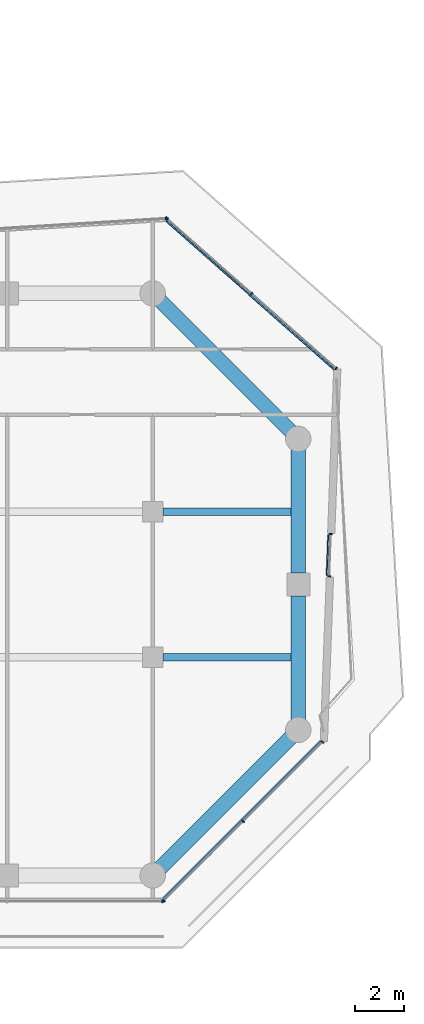
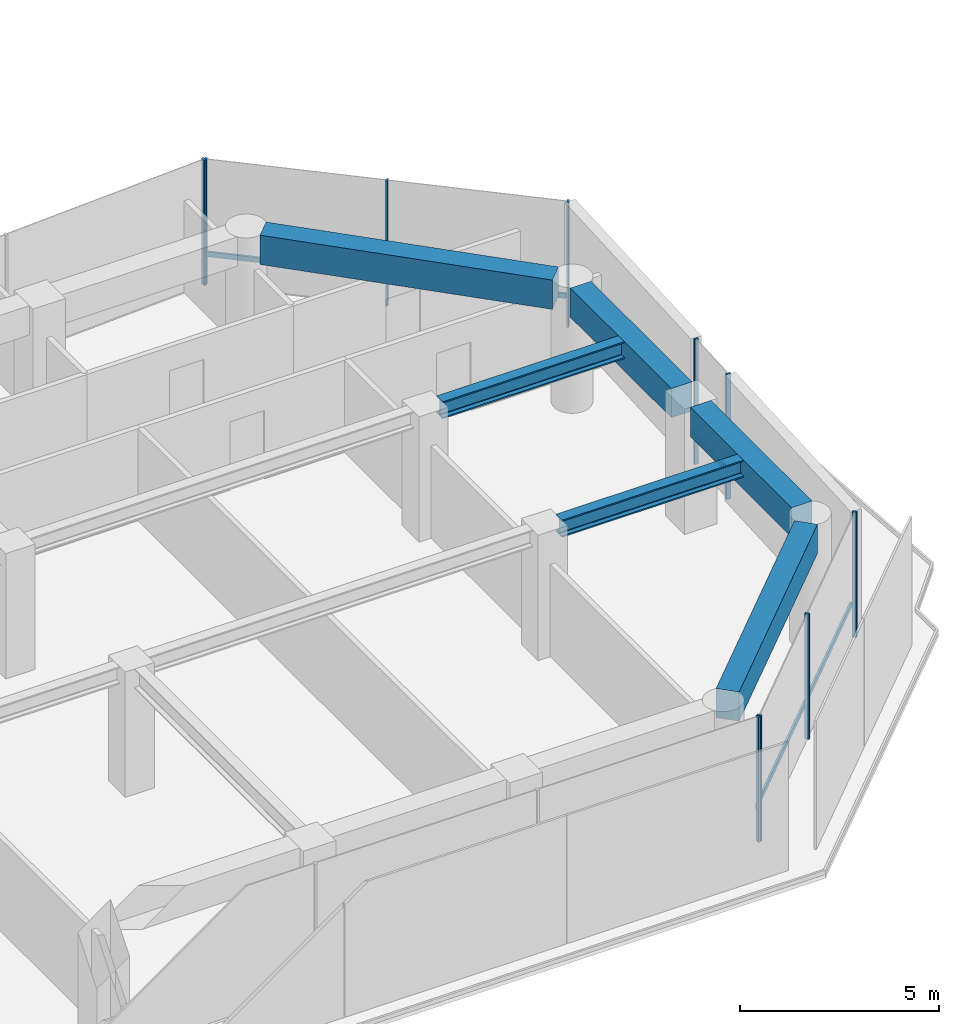
# One storey, part 20 of 29: 13 members, 6 beams, 5 elements without a shape of their own.
"""IFC4 building model written with IfcOpenShell, lengths in metres."""

from ifc_helpers import new_model, si_unit, direction, frame, origin, origin_2d, place, context, subcontext, project, spatial, rectangle, i_section, extrude, material, layer, layer_set, material_profile, profile_set, type_object, element, aggregate, save


model = new_model("IFC4")

# Units and contexts
model_context = context("Model", 3, precision=1e-05, world=origin(), true_north=direction((0.0, 1.0)))
body_context = subcontext(model_context, "Body", "Model", "MODEL_VIEW")
ifc_project = project(units=[si_unit("LENGTHUNIT", "METRE"), si_unit("AREAUNIT", "SQUARE_METRE"), si_unit("VOLUMEUNIT", "CUBIC_METRE"), si_unit("PLANEANGLEUNIT", "RADIAN"), si_unit("MASSUNIT", "GRAM", prefix="KILO")], contexts=[model_context])

# Site, building, storey
site_placement = place(None, origin())
site = spatial("IfcSite", under=ifc_project, at=site_placement, CompositionType="ELEMENT")
building_placement = place(site_placement, origin())
building = spatial("IfcBuilding", under=site, at=building_placement, Name="Welwitschia Terrace Campus", CompositionType="ELEMENT")
storey_placement = place(building_placement, frame((0.0, 0.0, 66.800048828125)))
storey = spatial("IfcBuildingStorey", under=building, at=storey_placement, Name="L15", CompositionType="ELEMENT", Elevation=66.800048828125)

# Beams
ifc_material_1 = material(Name="Steel S355", Category="steel")
ifc_material_profile_1 = material_profile(ifc_material_1, i_section(OverallWidth=0.305908203125, OverallDepth=0.52392578125, WebThickness=0.02099609375, FlangeThickness=0.0400390625, FilletRadius=0.027099609375, at=origin_2d()))
ifc_profile_set_1 = profile_set([ifc_material_profile_1], Name="Steel S355")
beam_type_1 = type_object("IfcBeamType", Name="Interior girder HE 500 M", PredefinedType="BEAM", material=ifc_profile_set_1)
for number, where, z_axis, x_axis, name in (
    (1, (60.425537109375, 5.0, 3.587890625), (1.0, 0.0, 0.0), (0.0, 1.0, 0.0), "Girder GB2"),
    (2, (60.425537109375, 11.0, 3.587890625), (1.0, 0.0, 0.0), (0.0, 1.0, 0.0), "Girder GB2"),
):
    element("IfcBeam", number, at=place(storey_placement, frame(where, z_axis=z_axis, x_axis=x_axis)), inside=storey, type_object=beam_type_1, Name=name, PredefinedType="BEAM", context=body_context, shape_type="SweptSolid", body=[
        extrude(i_section(OverallWidth=0.305908203125, OverallDepth=0.52392578125, WebThickness=0.02099609375, FlangeThickness=0.0400390625, FilletRadius=0.027099609375, at=origin_2d()), origin(), (0.0, 0.0, 1.0), 5.58447265625),
    ])

# Curtain wall, member
ifc_material_2 = material(Name="Bronze anodised aluminium", Category="aluminium")
ifc_layer = layer(ifc_material_2, 0.1201171875)
ifc_layer_set = layer_set([ifc_layer], Name="Bronze anodised aluminium")
curtain_wall_type = type_object("IfcCurtainWallType", Name="Curtain wall CW2 tower 6000", PredefinedType="NOTDEFINED", material=ifc_layer_set)
curtain_wall_1_placement = place(storey_placement, origin())
curtain_wall_1 = element("IfcCurtainWall", 3, at=curtain_wall_1_placement, inside=storey, type_object=curtain_wall_type, Name="CW L15.3.0", PredefinedType="NOTDEFINED")
ifc_material_3 = material(Name="Bronze anodised aluminium", Category="aluminium")
ifc_material_profile_2 = material_profile(ifc_material_3, rectangle(XDim=0.1201171875, YDim=0.06005859375, at=origin_2d()))
ifc_profile_set_2 = profile_set([ifc_material_profile_2], Name="Bronze anodised aluminium")
member_type_1 = type_object("IfcMemberType", Name="Mullion 60x120", PredefinedType="MULLION", material=ifc_profile_set_2)
member_1_placement = place(storey_placement, frame((60.408203125, -5.05810546875, 0.0), z_axis=(0.0, 0.0, 1.0), x_axis=(0.0, 1.0, 0.0)))
member_1 = element("IfcMember", 4, at=member_1_placement, type_object=member_type_1, Name="Mullion L15.3.0.5", PredefinedType="MULLION", context=body_context, shape_type="SweptSolid", body=[
    extrude(rectangle(XDim=0.1201171875, YDim=0.06005859375, at=origin_2d()), origin(), (0.0, 0.0, 1.0), 3.849853515625),
])
aggregate(curtain_wall_1, [member_1])

# Curtain wall, members
curtain_wall_2_placement = place(storey_placement, origin())
curtain_wall_2 = element("IfcCurtainWall", 5, at=curtain_wall_2_placement, inside=storey, type_object=curtain_wall_type, Name="CW L15.4.0", PredefinedType="NOTDEFINED")
member_2_placement = place(storey_placement, frame((60.45947265625, -5.036865234375, 0.0), z_axis=(0.0, 0.0, 1.0), x_axis=(-0.707106781187, 0.707106781187, 0.0)))
member_2 = element("IfcMember", 6, at=member_2_placement, type_object=member_type_1, Name="Mullion L15.4.0.0", PredefinedType="MULLION", context=body_context, shape_type="SweptSolid", body=[
    extrude(rectangle(XDim=0.1201171875, YDim=0.06005859375, at=origin_2d()), origin(), (0.0, 0.0, 1.0), 3.849853515625),
])
member_3_placement = place(storey_placement, frame((63.729248046875, -1.766845703125, 0.0), z_axis=(0.0, 0.0, 1.0), x_axis=(-0.707106781187, 0.707106781187, 0.0)))
member_3 = element("IfcMember", 7, at=member_3_placement, type_object=member_type_1, Name="Mullion L15.4.0.1", PredefinedType="MULLION", context=body_context, shape_type="SweptSolid", body=[
    extrude(rectangle(XDim=0.1201171875, YDim=0.06005859375, at=origin_2d()), origin(), (0.0, 0.0, 1.0), 3.849853515625),
])
member_4_placement = place(storey_placement, frame((66.9990234375, 1.5029296875, 0.0), z_axis=(0.0, 0.0, 1.0), x_axis=(-0.707106781187, 0.707106781187, 0.0)))
member_4 = element("IfcMember", 8, at=member_4_placement, type_object=member_type_1, Name="Mullion L15.4.0.2", PredefinedType="MULLION", context=body_context, shape_type="SweptSolid", body=[
    extrude(rectangle(XDim=0.1201171875, YDim=0.06005859375, at=origin_2d()), origin(), (0.0, 0.0, 1.0), 3.849853515625),
])

curtain_wall_3_placement = place(storey_placement, origin())
curtain_wall_3 = element("IfcCurtainWall", 9, at=curtain_wall_3_placement, inside=storey, type_object=curtain_wall_type, Name="CW L15.5.S0", PredefinedType="NOTDEFINED")
member_5_placement = place(storey_placement, frame((67.270751953125, 8.33544921875, 0.0), z_axis=(0.0, 0.0, 1.0), x_axis=(-0.999325266457, 0.036728896275, 0.0)))
member_5 = element("IfcMember", 10, at=member_5_placement, type_object=member_type_1, Name="Mullion L15.5.S0.0", PredefinedType="MULLION", context=body_context, shape_type="SweptSolid", body=[
    extrude(rectangle(XDim=0.1201171875, YDim=0.06005859375, at=origin_2d()), origin(), (0.0, 0.0, 1.0), 3.849853515625),
])
member_6_placement = place(storey_placement, frame((67.33447265625, 10.07421875, 0.0), z_axis=(0.0, 0.0, 1.0), x_axis=(-0.999325266457, 0.036728896275, 0.0)))
member_6 = element("IfcMember", 11, at=member_6_placement, type_object=member_type_1, Name="Mullion L15.5.S0.1", PredefinedType="MULLION", context=body_context, shape_type="SweptSolid", body=[
    extrude(rectangle(XDim=0.1201171875, YDim=0.06005859375, at=origin_2d()), origin(), (0.0, 0.0, 1.0), 3.849853515625),
])

curtain_wall_4_placement = place(storey_placement, origin())
curtain_wall_4 = element("IfcCurtainWall", 12, at=curtain_wall_4_placement, inside=storey, type_object=curtain_wall_type, Name="CW L15.6.0", PredefinedType="NOTDEFINED")
member_7_placement = place(storey_placement, frame((67.5625, 16.905517578125, 0.0), z_axis=(0.0, 0.0, 1.0), x_axis=(-0.662620048216, -0.748955720789, 0.0)))
member_7 = element("IfcMember", 13, at=member_7_placement, type_object=member_type_1, Name="Mullion L15.6.0.0", PredefinedType="MULLION", context=body_context, shape_type="SweptSolid", body=[
    extrude(rectangle(XDim=0.1201171875, YDim=0.06005859375, at=origin_2d()), origin(), (0.0, 0.0, 1.0), 3.849853515625),
])
member_8_placement = place(storey_placement, frame((64.0791015625, 19.9873046875, 0.0), z_axis=(0.0, 0.0, 1.0), x_axis=(-0.662620048216, -0.748955720789, 0.0)))
member_8 = element("IfcMember", 14, at=member_8_placement, type_object=member_type_1, Name="Mullion L15.6.0.1", PredefinedType="MULLION", context=body_context, shape_type="SweptSolid", body=[
    extrude(rectangle(XDim=0.1201171875, YDim=0.06005859375, at=origin_2d()), origin(), (0.0, 0.0, 1.0), 3.849853515625),
])
member_9_placement = place(storey_placement, frame((60.595947265625, 23.069091796875, 0.0), z_axis=(0.0, 0.0, 1.0), x_axis=(-0.662620048216, -0.748955720789, 0.0)))
member_9 = element("IfcMember", 15, at=member_9_placement, type_object=member_type_1, Name="Mullion L15.6.0.2", PredefinedType="MULLION", context=body_context, shape_type="SweptSolid", body=[
    extrude(rectangle(XDim=0.1201171875, YDim=0.06005859375, at=origin_2d()), origin(), (0.0, 0.0, 1.0), 3.849853515625),
])

# Curtain wall, member
curtain_wall_5_placement = place(storey_placement, origin())
curtain_wall_5 = element("IfcCurtainWall", 16, at=curtain_wall_5_placement, inside=storey, type_object=curtain_wall_type, Name="CW L15.7.0", PredefinedType="NOTDEFINED")
member_10_placement = place(storey_placement, frame((60.54345703125, 23.087158203125, 0.0), z_axis=(0.0, 0.0, 1.0), x_axis=(0.061048539535, -0.998134798422, 0.0)))
member_10 = element("IfcMember", 17, at=member_10_placement, type_object=member_type_1, Name="Mullion L15.7.0.0", PredefinedType="MULLION", context=body_context, shape_type="SweptSolid", body=[
    extrude(rectangle(XDim=0.1201171875, YDim=0.06005859375, at=origin_2d()), origin(), (0.0, 0.0, 1.0), 3.849853515625),
])
aggregate(curtain_wall_5, [member_10])

# Beams
ifc_material_4 = material(Name="Concrete C60/75", Category="concrete")
ifc_material_profile_3 = material_profile(ifc_material_4, rectangle(XDim=0.60009765625, YDim=0.89990234375, at=origin_2d()))
ifc_profile_set_3 = profile_set([ifc_material_profile_3], Name="Concrete C60/75")
beam_type_2 = type_object("IfcBeamType", Name="Ring spandrel 600x900", PredefinedType="SPANDREL", material=ifc_profile_set_3)
beam_1_placement = place(storey_placement, frame((60.30517578125, -3.69482421875, 3.39990234375), z_axis=(0.707106781187, 0.707106781187, 0.0), x_axis=(-0.707106781187, 0.707106781187, 0.0)))
element("IfcBeam", 18, at=beam_1_placement, inside=storey, type_object=beam_type_2, Name="Spandrel SP2", PredefinedType="SPANDREL", context=body_context, shape_type="SweptSolid", body=[
    extrude(rectangle(XDim=0.60009765625, YDim=0.89990234375, at=origin_2d()), origin(), (0.0, 0.0, 1.0), 7.6220703125),
])
for number, where, z_axis, x_axis, name in (
    (19, (66.0, 2.431396484375, 3.39990234375), (0.0, 1.0, 0.0), (-1.0, 0.0, 0.0), "Spandrel SP2"),
    (20, (66.0, 8.4755859375, 3.39990234375), (0.0, 1.0, 0.0), (-1.0, 0.0, 0.0), "Spandrel SP2"),
):
    element("IfcBeam", number, at=place(storey_placement, frame(where, z_axis=z_axis, x_axis=x_axis)), inside=storey, type_object=beam_type_2, Name=name, PredefinedType="SPANDREL", context=body_context, shape_type="SweptSolid", body=[
        extrude(rectangle(XDim=0.60009765625, YDim=0.89990234375, at=origin_2d()), origin(), (0.0, 0.0, 1.0), 5.093017578125),
    ])
beam_2_placement = place(storey_placement, frame((65.69482421875, 14.30517578125, 3.39990234375), z_axis=(-0.707106781187, 0.707106781187, 0.0), x_axis=(-0.707106781187, -0.707106781187, 0.0)))
element("IfcBeam", 21, at=beam_2_placement, inside=storey, type_object=beam_type_2, Name="Spandrel SP2", PredefinedType="SPANDREL", context=body_context, shape_type="SweptSolid", body=[
    extrude(rectangle(XDim=0.60009765625, YDim=0.89990234375, at=origin_2d()), origin(), (0.0, 0.0, 1.0), 7.6220703125),
])

# Member
ifc_material_5 = material(Name="Bronze anodised aluminium", Category="aluminium")
ifc_material_profile_4 = material_profile(ifc_material_5, rectangle(XDim=0.06005859375, YDim=0.14990234375, at=origin_2d()))
ifc_profile_set_4 = profile_set([ifc_material_profile_4], Name="Bronze anodised aluminium")
member_type_2 = type_object("IfcMemberType", Name="Transom 60x150", PredefinedType="USERDEFINED", material=ifc_profile_set_4)
member_11_placement = place(storey_placement, frame((60.4169921875, -4.951904296875, 1.0), z_axis=(0.707106781187, 0.707106781187, 0.0), x_axis=(-0.707106781187, 0.707106781187, 0.0)))
member_11 = element("IfcMember", 22, at=member_11_placement, type_object=member_type_2, Name="Transom L15.4.0", ObjectType="TRANSOM", PredefinedType="USERDEFINED", context=body_context, shape_type="SweptSolid", body=[
    extrude(rectangle(XDim=0.06005859375, YDim=0.14990234375, at=origin_2d()), origin(), (0.0, 0.0, 1.0), 9.1884765625),
])

aggregate(curtain_wall_2, [member_2, member_3, member_4, member_11])

member_12_placement = place(storey_placement, frame((67.181884765625, 8.36865234375, 1.0), z_axis=(0.03676442662, 0.999323959953, 0.0), x_axis=(-0.999323959953, 0.03676442662, 0.0)))
member_12 = element("IfcMember", 23, at=member_12_placement, type_object=member_type_2, Name="Transom L15.5.S0", ObjectType="TRANSOM", PredefinedType="USERDEFINED", context=body_context, shape_type="SweptSolid", body=[
    extrude(rectangle(XDim=0.06005859375, YDim=0.14990234375, at=origin_2d()), origin(), (0.0, 0.0, 1.0), 1.68017578125),
])

aggregate(curtain_wall_3, [member_5, member_6, member_12])

member_13_placement = place(storey_placement, frame((67.48046875, 16.858154296875, 1.0), z_axis=(-0.748965300109, 0.662609220606, 0.0), x_axis=(-0.662609220606, -0.748965300109, 0.0)))
member_13 = element("IfcMember", 24, at=member_13_placement, type_object=member_type_2, Name="Transom L15.6.0", ObjectType="TRANSOM", PredefinedType="USERDEFINED", context=body_context, shape_type="SweptSolid", body=[
    extrude(rectangle(XDim=0.06005859375, YDim=0.14990234375, at=origin_2d()), origin(), (0.0, 0.0, 1.0), 9.241943359375),
])

aggregate(curtain_wall_4, [member_7, member_8, member_9, member_13])

save(model, "model.ifc")
